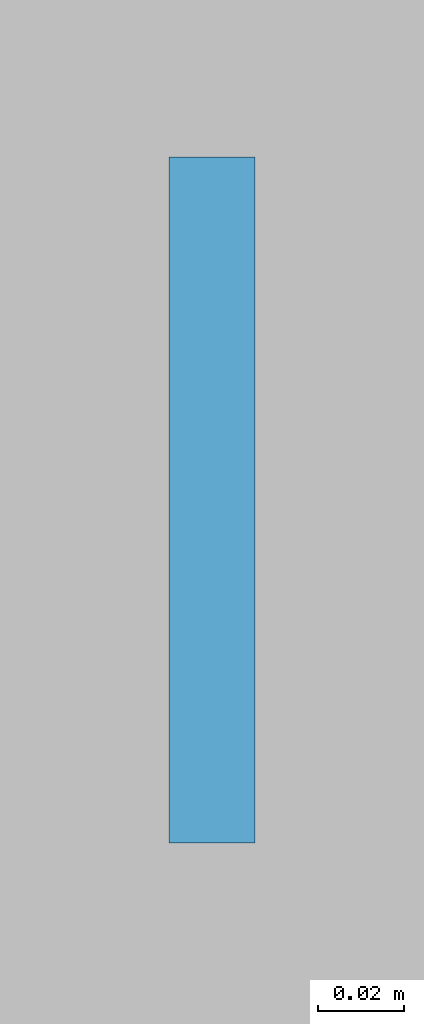
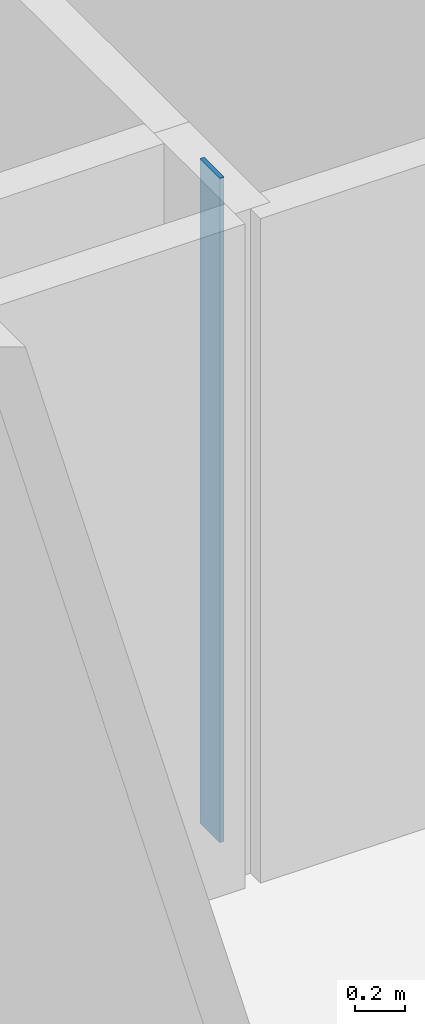
# One storey, part 5 of 12: 1 plate.
"""IFC4 building model written with IfcOpenShell, lengths in metres."""

from ifc_helpers import new_model, si_unit, direction, frame, origin, origin_2d, place, context, subcontext, project, spatial, rectangle, extrude, material, layer, layer_set, type_object, element, save


model = new_model("IFC4")

# Units and contexts
model_context = context("Model", 3, precision=1e-05, world=origin(), true_north=direction((0.0, 1.0)))
body_context = subcontext(model_context, "Body", "Model", "MODEL_VIEW")
ifc_project = project(units=[si_unit("LENGTHUNIT", "METRE"), si_unit("AREAUNIT", "SQUARE_METRE"), si_unit("VOLUMEUNIT", "CUBIC_METRE"), si_unit("PLANEANGLEUNIT", "RADIAN"), si_unit("MASSUNIT", "GRAM", prefix="KILO")], contexts=[model_context])

# Site, building, storey
site_placement = place(None, origin())
site = spatial("IfcSite", under=ifc_project, at=site_placement, CompositionType="ELEMENT")
building_placement = place(site_placement, origin())
building = spatial("IfcBuilding", under=site, at=building_placement, Name="Miruveldt Soraemaru", CompositionType="ELEMENT")
storey_placement = place(building_placement, frame((0.0, 0.0, 107.39990234375)))
storey = spatial("IfcBuildingStorey", under=building, at=storey_placement, Name="L29", CompositionType="ELEMENT", Elevation=107.39990234375)

# Plate
ifc_material = material(Name="Anodised aluminium EN AW-6063 T6", Category="aluminium")
ifc_layer = layer(ifc_material, 0.02001953125, Name="Anodised aluminium EN AW-6063 T6", Category="aluminium")
ifc_layer_set = layer_set([ifc_layer], Name="Anodised aluminium EN AW-6063 T6")
plate_type = type_object("IfcPlateType", Name="PLT-PART-TRIM", PredefinedType="SHEET", material=ifc_layer_set)
plate_placement = place(storey_placement, frame((41.550048828125, 63.75341796875, 0.0), z_axis=(0.0, 0.0, 1.0), x_axis=(0.0, -1.0, 0.0)))
element("IfcPlate", 1, at=plate_placement, inside=storey, type_object=plate_type, Name="L29 Partition Step Corner Trim Plate 016", PredefinedType="SHEET", context=body_context, shape_type="SweptSolid", body=[
    extrude(rectangle(XDim=0.159912109375, YDim=0.02001953125, at=origin_2d()), origin(), (0.0, 0.0, 1.0), 3.235107421875),
])

save(model, "model.ifc")
